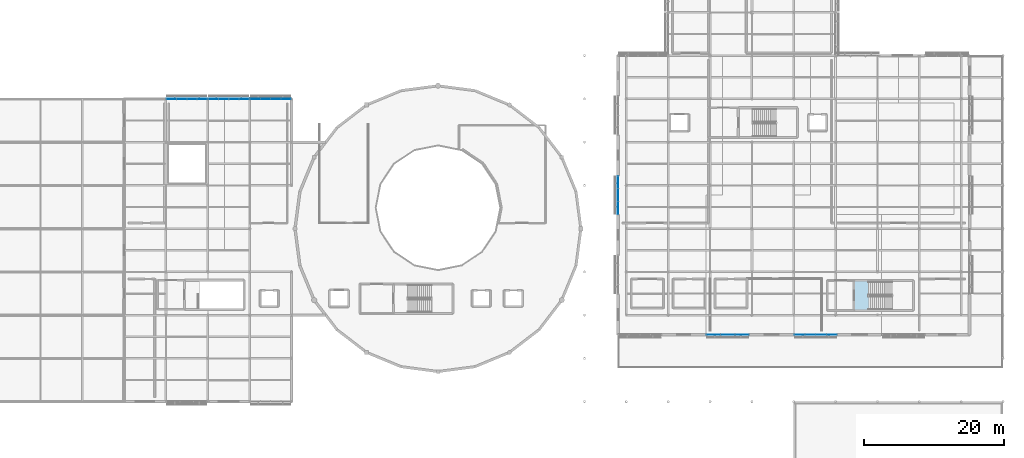
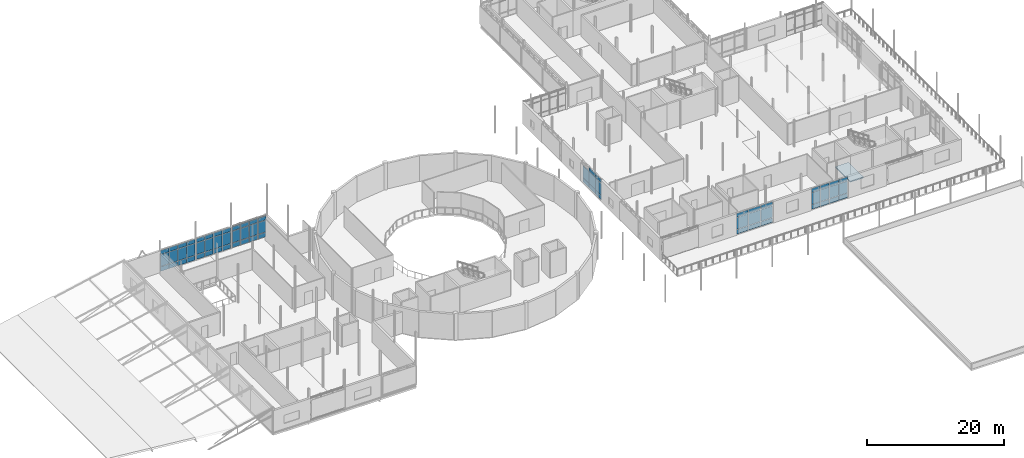
# One storey, part 39 of 66: 65 plates, 1 slab, 6 elements without a shape of their own.
"""IFC4 building model written with IfcOpenShell, lengths in metres."""

from ifc_helpers import new_model, si_unit, direction, frame, origin, origin_2d, place, context, subcontext, project, spatial, polyline, rectangle, outline, extrude, material, layer, layer_set, type_object, element, aggregate, save


model = new_model("IFC4")

# Units and contexts
model_context = context("Model", 3, precision=1e-05, world=origin(), true_north=direction((0.0, 1.0)))
body_context = subcontext(model_context, "Body", "Model", "MODEL_VIEW")
ifc_project = project(units=[si_unit("LENGTHUNIT", "METRE"), si_unit("AREAUNIT", "SQUARE_METRE"), si_unit("VOLUMEUNIT", "CUBIC_METRE"), si_unit("PLANEANGLEUNIT", "RADIAN"), si_unit("MASSUNIT", "GRAM", prefix="KILO")], contexts=[model_context])

# Site, building, storey
site_placement = place(None, origin())
site = spatial("IfcSite", under=ifc_project, at=site_placement, CompositionType="ELEMENT")
building_placement = place(site_placement, origin())
building = spatial("IfcBuilding", under=site, at=building_placement, Name="Mirzam Square Science Centre", CompositionType="ELEMENT")
storey_placement = place(building_placement, frame((0.0, 0.0, 15.60009765625)))
storey = spatial("IfcBuildingStorey", under=building, at=storey_placement, Name="L03", CompositionType="ELEMENT", Elevation=15.60009765625)

# Curtain wall, plates
ifc_material_1 = material(Name="Anodised Aluminium and Low-E Solar Glass", Category="aluminium")
ifc_layer_1 = layer(ifc_material_1, 0.159912109375)
ifc_layer_set_1 = layer_set([ifc_layer_1], Name="CW-COURT-A")
curtain_wall_type_1 = type_object("IfcCurtainWallType", Name="CW-COURT-A", PredefinedType="USERDEFINED", material=ifc_layer_set_1)
curtain_wall_1_placement = place(storey_placement, origin())
curtain_wall_1 = element("IfcCurtainWall", 1, at=curtain_wall_1_placement, inside=storey, type_object=curtain_wall_type_1, Name="L03 unitised curtain wall 31", ObjectType="UNITISED CURTAIN WALL", PredefinedType="USERDEFINED")
ifc_material_2 = material(Name="Double-Silver Low-E Insulated Solar Glass", Category="glass")
ifc_layer_2 = layer(ifc_material_2, 0.028076171875)
ifc_layer_set_2 = layer_set([ifc_layer_2], Name="CWP-GLZ-28")
plate_type_1 = type_object("IfcPlateType", Name="CWP-GLZ-28", PredefinedType="CURTAIN_PANEL", material=ifc_layer_set_2)
plate_1_placement = place(storey_placement, frame((47.1923828125, 80.60009765625, 0.06494140625), z_axis=(0.0, 0.0, 1.0), x_axis=(-1.0, 0.0, 0.0)))
plate_1 = element("IfcPlate", 2, at=plate_1_placement, type_object=plate_type_1, Name="CW-03 panel 1.1", PredefinedType="CURTAIN_PANEL", context=body_context, shape_type="SweptSolid", body=[
    extrude(rectangle(XDim=1.375, YDim=0.028076171875, at=origin_2d()), origin(), (0.0, 0.0, 1.0), 0.802490234375),
])
plate_2_placement = place(storey_placement, frame((47.1923828125, 80.60009765625, 0.9326171875), z_axis=(0.0, 0.0, 1.0), x_axis=(-1.0, 0.0, 0.0)))
plate_2 = element("IfcPlate", 3, at=plate_2_placement, type_object=plate_type_1, Name="CW-03 panel 1.2", PredefinedType="CURTAIN_PANEL", context=body_context, shape_type="SweptSolid", body=[
    extrude(rectangle(XDim=1.375, YDim=0.028076171875, at=origin_2d()), origin(), (0.0, 0.0, 1.0), 2.074951171875),
])
plate_3_placement = place(storey_placement, frame((47.1923828125, 80.60009765625, 3.072265625), z_axis=(0.0, 0.0, 1.0), x_axis=(-1.0, 0.0, 0.0)))
plate_3 = element("IfcPlate", 4, at=plate_3_placement, type_object=plate_type_1, Name="CW-03 panel 1.3", PredefinedType="CURTAIN_PANEL", context=body_context, shape_type="SweptSolid", body=[
    extrude(rectangle(XDim=1.375, YDim=0.028076171875, at=origin_2d()), origin(), (0.0, 0.0, 1.0), 0.702392578125),
])
plate_4_placement = place(storey_placement, frame((45.736328125, 80.60009765625, 0.06494140625), z_axis=(0.0, 0.0, 1.0), x_axis=(-1.0, 0.0, 0.0)))
plate_4 = element("IfcPlate", 5, at=plate_4_placement, type_object=plate_type_1, Name="CW-03 panel 2.1", PredefinedType="CURTAIN_PANEL", context=body_context, shape_type="SweptSolid", body=[
    extrude(rectangle(XDim=1.407470703125, YDim=0.028076171875, at=origin_2d()), origin(), (0.0, 0.0, 1.0), 0.802490234375),
])
plate_5_placement = place(storey_placement, frame((45.736328125, 80.60009765625, 0.9326171875), z_axis=(0.0, 0.0, 1.0), x_axis=(-1.0, 0.0, 0.0)))
plate_5 = element("IfcPlate", 6, at=plate_5_placement, type_object=plate_type_1, Name="CW-03 panel 2.2", PredefinedType="CURTAIN_PANEL", context=body_context, shape_type="SweptSolid", body=[
    extrude(rectangle(XDim=1.407470703125, YDim=0.028076171875, at=origin_2d()), origin(), (0.0, 0.0, 1.0), 2.074951171875),
])
plate_6_placement = place(storey_placement, frame((45.736328125, 80.60009765625, 3.072265625), z_axis=(0.0, 0.0, 1.0), x_axis=(-1.0, 0.0, 0.0)))
plate_6 = element("IfcPlate", 7, at=plate_6_placement, type_object=plate_type_1, Name="CW-03 panel 2.3", PredefinedType="CURTAIN_PANEL", context=body_context, shape_type="SweptSolid", body=[
    extrude(rectangle(XDim=1.407470703125, YDim=0.028076171875, at=origin_2d()), origin(), (0.0, 0.0, 1.0), 0.702392578125),
])
plate_7_placement = place(storey_placement, frame((44.263671875, 80.60009765625, 0.06494140625), z_axis=(0.0, 0.0, 1.0), x_axis=(-1.0, 0.0, 0.0)))
plate_7 = element("IfcPlate", 8, at=plate_7_placement, type_object=plate_type_1, Name="CW-03 panel 3.1", PredefinedType="CURTAIN_PANEL", context=body_context, shape_type="SweptSolid", body=[
    extrude(rectangle(XDim=1.407470703125, YDim=0.028076171875, at=origin_2d()), origin(), (0.0, 0.0, 1.0), 0.802490234375),
])
plate_8_placement = place(storey_placement, frame((44.263671875, 80.60009765625, 0.9326171875), z_axis=(0.0, 0.0, 1.0), x_axis=(-1.0, 0.0, 0.0)))
plate_8 = element("IfcPlate", 9, at=plate_8_placement, type_object=plate_type_1, Name="CW-03 panel 3.2", PredefinedType="CURTAIN_PANEL", context=body_context, shape_type="SweptSolid", body=[
    extrude(rectangle(XDim=1.407470703125, YDim=0.028076171875, at=origin_2d()), origin(), (0.0, 0.0, 1.0), 2.074951171875),
])
plate_9_placement = place(storey_placement, frame((44.263671875, 80.60009765625, 3.072265625), z_axis=(0.0, 0.0, 1.0), x_axis=(-1.0, 0.0, 0.0)))
plate_9 = element("IfcPlate", 10, at=plate_9_placement, type_object=plate_type_1, Name="CW-03 panel 3.3", PredefinedType="CURTAIN_PANEL", context=body_context, shape_type="SweptSolid", body=[
    extrude(rectangle(XDim=1.407470703125, YDim=0.028076171875, at=origin_2d()), origin(), (0.0, 0.0, 1.0), 0.702392578125),
])
plate_10_placement = place(storey_placement, frame((42.8076171875, 80.60009765625, 0.06494140625), z_axis=(0.0, 0.0, 1.0), x_axis=(-1.0, 0.0, 0.0)))
plate_10 = element("IfcPlate", 11, at=plate_10_placement, type_object=plate_type_1, Name="CW-03 panel 4.1", PredefinedType="CURTAIN_PANEL", context=body_context, shape_type="SweptSolid", body=[
    extrude(rectangle(XDim=1.375, YDim=0.028076171875, at=origin_2d()), origin(), (0.0, 0.0, 1.0), 0.802490234375),
])
plate_11_placement = place(storey_placement, frame((42.8076171875, 80.60009765625, 0.9326171875), z_axis=(0.0, 0.0, 1.0), x_axis=(-1.0, 0.0, 0.0)))
plate_11 = element("IfcPlate", 12, at=plate_11_placement, type_object=plate_type_1, Name="CW-03 panel 4.2", PredefinedType="CURTAIN_PANEL", context=body_context, shape_type="SweptSolid", body=[
    extrude(rectangle(XDim=1.375, YDim=0.028076171875, at=origin_2d()), origin(), (0.0, 0.0, 1.0), 2.074951171875),
])
plate_12_placement = place(storey_placement, frame((42.8076171875, 80.60009765625, 3.072265625), z_axis=(0.0, 0.0, 1.0), x_axis=(-1.0, 0.0, 0.0)))
plate_12 = element("IfcPlate", 13, at=plate_12_placement, type_object=plate_type_1, Name="CW-03 panel 4.3", PredefinedType="CURTAIN_PANEL", context=body_context, shape_type="SweptSolid", body=[
    extrude(rectangle(XDim=1.375, YDim=0.028076171875, at=origin_2d()), origin(), (0.0, 0.0, 1.0), 0.702392578125),
])
aggregate(curtain_wall_1, [plate_1, plate_2, plate_3, plate_4, plate_5, plate_6, plate_7, plate_8, plate_9, plate_10, plate_11, plate_12])

ifc_layer_3 = layer(ifc_material_1, 0.239990234375)
ifc_layer_set_3 = layer_set([ifc_layer_3], Name="CW-EAST-B")
curtain_wall_type_2 = type_object("IfcCurtainWallType", Name="CW-EAST-B", PredefinedType="USERDEFINED", material=ifc_layer_set_3)
curtain_wall_2_placement = place(storey_placement, origin())
curtain_wall_2 = element("IfcCurtainWall", 14, at=curtain_wall_2_placement, inside=storey, type_object=curtain_wall_type_2, Name="L03 unitised curtain wall 124", ObjectType="UNITISED CURTAIN WALL", PredefinedType="USERDEFINED")
plate_13_placement = place(storey_placement, frame((120.50537109375, 46.800048828125, 0.074951171875), z_axis=(0.0, 0.0, 1.0), x_axis=(1.0, 0.0, 0.0)))
plate_13 = element("IfcPlate", 15, at=plate_13_placement, type_object=plate_type_1, Name="CW-06 panel 1.1", PredefinedType="CURTAIN_PANEL", context=body_context, shape_type="SweptSolid", body=[
    extrude(rectangle(XDim=1.950927734375, YDim=0.028076171875, at=origin_2d()), origin(), (0.0, 0.0, 1.0), 0.78759765625),
])
plate_14_placement = place(storey_placement, frame((120.50537109375, 46.800048828125, 0.9375), z_axis=(0.0, 0.0, 1.0), x_axis=(1.0, 0.0, 0.0)))
plate_14 = element("IfcPlate", 16, at=plate_14_placement, type_object=plate_type_1, Name="CW-06 panel 1.2", PredefinedType="CURTAIN_PANEL", context=body_context, shape_type="SweptSolid", body=[
    extrude(rectangle(XDim=1.950927734375, YDim=0.028076171875, at=origin_2d()), origin(), (0.0, 0.0, 1.0), 2.06494140625),
])
plate_15_placement = place(storey_placement, frame((120.50537109375, 46.800048828125, 3.077392578125), z_axis=(0.0, 0.0, 1.0), x_axis=(1.0, 0.0, 0.0)))
plate_15 = element("IfcPlate", 17, at=plate_15_placement, type_object=plate_type_1, Name="CW-06 panel 1.3", PredefinedType="CURTAIN_PANEL", context=body_context, shape_type="SweptSolid", body=[
    extrude(rectangle(XDim=1.950927734375, YDim=0.028076171875, at=origin_2d()), origin(), (0.0, 0.0, 1.0), 0.6875),
])
plate_16_placement = place(storey_placement, frame((122.550048828125, 46.800048828125, 0.074951171875), z_axis=(0.0, 0.0, 1.0), x_axis=(1.0, 0.0, 0.0)))
plate_16 = element("IfcPlate", 18, at=plate_16_placement, type_object=plate_type_1, Name="CW-06 panel 2.1", PredefinedType="CURTAIN_PANEL", context=body_context, shape_type="SweptSolid", body=[
    extrude(rectangle(XDim=1.98828125, YDim=0.028076171875, at=origin_2d()), origin(), (0.0, 0.0, 1.0), 0.78759765625),
])
plate_17_placement = place(storey_placement, frame((122.550048828125, 46.800048828125, 0.9375), z_axis=(0.0, 0.0, 1.0), x_axis=(1.0, 0.0, 0.0)))
plate_17 = element("IfcPlate", 19, at=plate_17_placement, type_object=plate_type_1, Name="CW-06 panel 2.2", PredefinedType="CURTAIN_PANEL", context=body_context, shape_type="SweptSolid", body=[
    extrude(rectangle(XDim=1.98828125, YDim=0.028076171875, at=origin_2d()), origin(), (0.0, 0.0, 1.0), 2.06494140625),
])
plate_18_placement = place(storey_placement, frame((122.550048828125, 46.800048828125, 3.077392578125), z_axis=(0.0, 0.0, 1.0), x_axis=(1.0, 0.0, 0.0)))
plate_18 = element("IfcPlate", 20, at=plate_18_placement, type_object=plate_type_1, Name="CW-06 panel 2.3", PredefinedType="CURTAIN_PANEL", context=body_context, shape_type="SweptSolid", body=[
    extrude(rectangle(XDim=1.98828125, YDim=0.028076171875, at=origin_2d()), origin(), (0.0, 0.0, 1.0), 0.6875),
])
plate_19_placement = place(storey_placement, frame((124.594482421875, 46.800048828125, 0.074951171875), z_axis=(0.0, 0.0, 1.0), x_axis=(1.0, 0.0, 0.0)))
plate_19 = element("IfcPlate", 21, at=plate_19_placement, type_object=plate_type_1, Name="CW-06 panel 3.1", PredefinedType="CURTAIN_PANEL", context=body_context, shape_type="SweptSolid", body=[
    extrude(rectangle(XDim=1.950927734375, YDim=0.028076171875, at=origin_2d()), origin(), (0.0, 0.0, 1.0), 0.78759765625),
])
plate_20_placement = place(storey_placement, frame((124.594482421875, 46.800048828125, 0.9375), z_axis=(0.0, 0.0, 1.0), x_axis=(1.0, 0.0, 0.0)))
plate_20 = element("IfcPlate", 22, at=plate_20_placement, type_object=plate_type_1, Name="CW-06 panel 3.2", PredefinedType="CURTAIN_PANEL", context=body_context, shape_type="SweptSolid", body=[
    extrude(rectangle(XDim=1.950927734375, YDim=0.028076171875, at=origin_2d()), origin(), (0.0, 0.0, 1.0), 2.06494140625),
])
plate_21_placement = place(storey_placement, frame((124.594482421875, 46.800048828125, 3.077392578125), z_axis=(0.0, 0.0, 1.0), x_axis=(1.0, 0.0, 0.0)))
plate_21 = element("IfcPlate", 23, at=plate_21_placement, type_object=plate_type_1, Name="CW-06 panel 3.3", PredefinedType="CURTAIN_PANEL", context=body_context, shape_type="SweptSolid", body=[
    extrude(rectangle(XDim=1.950927734375, YDim=0.028076171875, at=origin_2d()), origin(), (0.0, 0.0, 1.0), 0.6875),
])
aggregate(curtain_wall_2, [plate_13, plate_14, plate_15, plate_16, plate_17, plate_18, plate_19, plate_20, plate_21])

curtain_wall_3_placement = place(storey_placement, origin())
curtain_wall_3 = element("IfcCurtainWall", 24, at=curtain_wall_3_placement, inside=storey, type_object=curtain_wall_type_2, Name="L03 unitised curtain wall 134", ObjectType="UNITISED CURTAIN WALL", PredefinedType="USERDEFINED")
plate_22_placement = place(storey_placement, frame((106.800048828125, 68.6494140625, 0.074951171875), z_axis=(0.0, 0.0, 1.0), x_axis=(0.0, -1.0, 0.0)))
plate_22 = element("IfcPlate", 25, at=plate_22_placement, type_object=plate_type_1, Name="CW-06 panel 1.1", PredefinedType="CURTAIN_PANEL", context=body_context, shape_type="SweptSolid", body=[
    extrude(rectangle(XDim=1.755615234375, YDim=0.028076171875, at=origin_2d()), origin(), (0.0, 0.0, 1.0), 0.78759765625),
])
plate_23_placement = place(storey_placement, frame((106.800048828125, 68.6494140625, 0.9375), z_axis=(0.0, 0.0, 1.0), x_axis=(0.0, -1.0, 0.0)))
plate_23 = element("IfcPlate", 26, at=plate_23_placement, type_object=plate_type_1, Name="CW-06 panel 1.2", PredefinedType="CURTAIN_PANEL", context=body_context, shape_type="SweptSolid", body=[
    extrude(rectangle(XDim=1.755615234375, YDim=0.028076171875, at=origin_2d()), origin(), (0.0, 0.0, 1.0), 2.06494140625),
])
plate_24_placement = place(storey_placement, frame((106.800048828125, 66.800048828125, 0.074951171875), z_axis=(0.0, 0.0, 1.0), x_axis=(0.0, -1.0, 0.0)))
plate_24 = element("IfcPlate", 27, at=plate_24_placement, type_object=plate_type_1, Name="CW-06 panel 2.1", PredefinedType="CURTAIN_PANEL", context=body_context, shape_type="SweptSolid", body=[
    extrude(rectangle(XDim=1.79296875, YDim=0.028076171875, at=origin_2d()), origin(), (0.0, 0.0, 1.0), 0.78759765625),
])
plate_25_placement = place(storey_placement, frame((106.800048828125, 66.800048828125, 0.9375), z_axis=(0.0, 0.0, 1.0), x_axis=(0.0, -1.0, 0.0)))
plate_25 = element("IfcPlate", 28, at=plate_25_placement, type_object=plate_type_1, Name="CW-06 panel 2.2", PredefinedType="CURTAIN_PANEL", context=body_context, shape_type="SweptSolid", body=[
    extrude(rectangle(XDim=1.79296875, YDim=0.028076171875, at=origin_2d()), origin(), (0.0, 0.0, 1.0), 2.06494140625),
])
plate_26_placement = place(storey_placement, frame((106.800048828125, 66.800048828125, 3.077392578125), z_axis=(0.0, 0.0, 1.0), x_axis=(0.0, -1.0, 0.0)))
plate_26 = element("IfcPlate", 29, at=plate_26_placement, type_object=plate_type_1, Name="CW-06 panel 2.3", PredefinedType="CURTAIN_PANEL", context=body_context, shape_type="SweptSolid", body=[
    extrude(rectangle(XDim=1.79296875, YDim=0.028076171875, at=origin_2d()), origin(), (0.0, 0.0, 1.0), 0.6875),
])
plate_27_placement = place(storey_placement, frame((106.800048828125, 64.95068359375, 0.074951171875), z_axis=(0.0, 0.0, 1.0), x_axis=(0.0, -1.0, 0.0)))
plate_27 = element("IfcPlate", 30, at=plate_27_placement, type_object=plate_type_1, Name="CW-06 panel 3.1", PredefinedType="CURTAIN_PANEL", context=body_context, shape_type="SweptSolid", body=[
    extrude(rectangle(XDim=1.755615234375, YDim=0.028076171875, at=origin_2d()), origin(), (0.0, 0.0, 1.0), 0.78759765625),
])
plate_28_placement = place(storey_placement, frame((106.800048828125, 64.95068359375, 0.9375), z_axis=(0.0, 0.0, 1.0), x_axis=(0.0, -1.0, 0.0)))
plate_28 = element("IfcPlate", 31, at=plate_28_placement, type_object=plate_type_1, Name="CW-06 panel 3.2", PredefinedType="CURTAIN_PANEL", context=body_context, shape_type="SweptSolid", body=[
    extrude(rectangle(XDim=1.755615234375, YDim=0.028076171875, at=origin_2d()), origin(), (0.0, 0.0, 1.0), 2.06494140625),
])
plate_29_placement = place(storey_placement, frame((106.800048828125, 64.95068359375, 3.077392578125), z_axis=(0.0, 0.0, 1.0), x_axis=(0.0, -1.0, 0.0)))
plate_29 = element("IfcPlate", 32, at=plate_29_placement, type_object=plate_type_1, Name="CW-06 panel 3.3", PredefinedType="CURTAIN_PANEL", context=body_context, shape_type="SweptSolid", body=[
    extrude(rectangle(XDim=1.755615234375, YDim=0.028076171875, at=origin_2d()), origin(), (0.0, 0.0, 1.0), 0.6875),
])
aggregate(curtain_wall_3, [plate_22, plate_23, plate_24, plate_25, plate_26, plate_27, plate_28, plate_29])

ifc_layer_4 = layer(ifc_material_1, 0.159912109375)
ifc_layer_set_4 = layer_set([ifc_layer_4], Name="CW-COURT-B")
curtain_wall_type_3 = type_object("IfcCurtainWallType", Name="CW-COURT-B", PredefinedType="USERDEFINED", material=ifc_layer_set_4)
curtain_wall_4_placement = place(storey_placement, origin())
curtain_wall_4 = element("IfcCurtainWall", 33, at=curtain_wall_4_placement, inside=storey, type_object=curtain_wall_type_3, Name="L03 unitised curtain wall 32", ObjectType="UNITISED CURTAIN WALL", PredefinedType="USERDEFINED")
ifc_material_3 = material(Name="Triple-Glazed Acoustic Low-E Solar Glass", Category="glass")
ifc_layer_5 = layer(ifc_material_3, 0.031982421875)
ifc_layer_set_5 = layer_set([ifc_layer_5], Name="CWP-GLZ-32")
plate_type_2 = type_object("IfcPlateType", Name="CWP-GLZ-32", PredefinedType="CURTAIN_PANEL", material=ifc_layer_set_5)
plate_30_placement = place(storey_placement, frame((53.18994140625, 80.60009765625, 0.074951171875), z_axis=(0.0, 0.0, 1.0), x_axis=(-1.0, 0.0, 0.0)))
plate_30 = element("IfcPlate", 34, at=plate_30_placement, type_object=plate_type_2, Name="CW-04 panel 1.1", PredefinedType="CURTAIN_PANEL", context=body_context, shape_type="SweptSolid", body=[
    extrude(rectangle(XDim=1.360107421875, YDim=0.031982421875, at=origin_2d()), origin(), (0.0, 0.0, 1.0), 0.78759765625),
])
plate_31_placement = place(storey_placement, frame((53.18994140625, 80.60009765625, 0.9375), z_axis=(0.0, 0.0, 1.0), x_axis=(-1.0, 0.0, 0.0)))
plate_31 = element("IfcPlate", 35, at=plate_31_placement, type_object=plate_type_2, Name="CW-04 panel 1.2", PredefinedType="CURTAIN_PANEL", context=body_context, shape_type="SweptSolid", body=[
    extrude(rectangle(XDim=1.360107421875, YDim=0.031982421875, at=origin_2d()), origin(), (0.0, 0.0, 1.0), 2.06494140625),
])
plate_32_placement = place(storey_placement, frame((53.18994140625, 80.60009765625, 3.077392578125), z_axis=(0.0, 0.0, 1.0), x_axis=(-1.0, 0.0, 0.0)))
plate_32 = element("IfcPlate", 36, at=plate_32_placement, type_object=plate_type_2, Name="CW-04 panel 1.3", PredefinedType="CURTAIN_PANEL", context=body_context, shape_type="SweptSolid", body=[
    extrude(rectangle(XDim=1.360107421875, YDim=0.031982421875, at=origin_2d()), origin(), (0.0, 0.0, 1.0), 0.6875),
])
plate_33_placement = place(storey_placement, frame((51.736328125, 80.60009765625, 0.074951171875), z_axis=(0.0, 0.0, 1.0), x_axis=(-1.0, 0.0, 0.0)))
plate_33 = element("IfcPlate", 37, at=plate_33_placement, type_object=plate_type_2, Name="CW-04 panel 2.1", PredefinedType="CURTAIN_PANEL", context=body_context, shape_type="SweptSolid", body=[
    extrude(rectangle(XDim=1.3974609375, YDim=0.031982421875, at=origin_2d()), origin(), (0.0, 0.0, 1.0), 0.78759765625),
])
plate_34_placement = place(storey_placement, frame((51.736328125, 80.60009765625, 0.9375), z_axis=(0.0, 0.0, 1.0), x_axis=(-1.0, 0.0, 0.0)))
plate_34 = element("IfcPlate", 38, at=plate_34_placement, type_object=plate_type_2, Name="CW-04 panel 2.2", PredefinedType="CURTAIN_PANEL", context=body_context, shape_type="SweptSolid", body=[
    extrude(rectangle(XDim=1.3974609375, YDim=0.031982421875, at=origin_2d()), origin(), (0.0, 0.0, 1.0), 2.06494140625),
])
plate_35_placement = place(storey_placement, frame((51.736328125, 80.60009765625, 3.077392578125), z_axis=(0.0, 0.0, 1.0), x_axis=(-1.0, 0.0, 0.0)))
plate_35 = element("IfcPlate", 39, at=plate_35_placement, type_object=plate_type_2, Name="CW-04 panel 2.3", PredefinedType="CURTAIN_PANEL", context=body_context, shape_type="SweptSolid", body=[
    extrude(rectangle(XDim=1.3974609375, YDim=0.031982421875, at=origin_2d()), origin(), (0.0, 0.0, 1.0), 0.6875),
])
plate_36_placement = place(storey_placement, frame((50.263671875, 80.60009765625, 0.074951171875), z_axis=(0.0, 0.0, 1.0), x_axis=(-1.0, 0.0, 0.0)))
plate_36 = element("IfcPlate", 40, at=plate_36_placement, type_object=plate_type_2, Name="CW-04 panel 3.1", PredefinedType="CURTAIN_PANEL", context=body_context, shape_type="SweptSolid", body=[
    extrude(rectangle(XDim=1.3974609375, YDim=0.031982421875, at=origin_2d()), origin(), (0.0, 0.0, 1.0), 0.78759765625),
])
plate_37_placement = place(storey_placement, frame((50.263671875, 80.60009765625, 0.9375), z_axis=(0.0, 0.0, 1.0), x_axis=(-1.0, 0.0, 0.0)))
plate_37 = element("IfcPlate", 41, at=plate_37_placement, type_object=plate_type_2, Name="CW-04 panel 3.2", PredefinedType="CURTAIN_PANEL", context=body_context, shape_type="SweptSolid", body=[
    extrude(rectangle(XDim=1.3974609375, YDim=0.031982421875, at=origin_2d()), origin(), (0.0, 0.0, 1.0), 2.06494140625),
])
plate_38_placement = place(storey_placement, frame((50.263671875, 80.60009765625, 3.077392578125), z_axis=(0.0, 0.0, 1.0), x_axis=(-1.0, 0.0, 0.0)))
plate_38 = element("IfcPlate", 42, at=plate_38_placement, type_object=plate_type_2, Name="CW-04 panel 3.3", PredefinedType="CURTAIN_PANEL", context=body_context, shape_type="SweptSolid", body=[
    extrude(rectangle(XDim=1.3974609375, YDim=0.031982421875, at=origin_2d()), origin(), (0.0, 0.0, 1.0), 0.6875),
])
plate_39_placement = place(storey_placement, frame((48.81005859375, 80.60009765625, 0.074951171875), z_axis=(0.0, 0.0, 1.0), x_axis=(-1.0, 0.0, 0.0)))
plate_39 = element("IfcPlate", 43, at=plate_39_placement, type_object=plate_type_2, Name="CW-04 panel 4.1", PredefinedType="CURTAIN_PANEL", context=body_context, shape_type="SweptSolid", body=[
    extrude(rectangle(XDim=1.360107421875, YDim=0.031982421875, at=origin_2d()), origin(), (0.0, 0.0, 1.0), 0.78759765625),
])
plate_40_placement = place(storey_placement, frame((48.81005859375, 80.60009765625, 0.9375), z_axis=(0.0, 0.0, 1.0), x_axis=(-1.0, 0.0, 0.0)))
plate_40 = element("IfcPlate", 44, at=plate_40_placement, type_object=plate_type_2, Name="CW-04 panel 4.2", PredefinedType="CURTAIN_PANEL", context=body_context, shape_type="SweptSolid", body=[
    extrude(rectangle(XDim=1.360107421875, YDim=0.031982421875, at=origin_2d()), origin(), (0.0, 0.0, 1.0), 2.06494140625),
])
plate_41_placement = place(storey_placement, frame((48.81005859375, 80.60009765625, 3.077392578125), z_axis=(0.0, 0.0, 1.0), x_axis=(-1.0, 0.0, 0.0)))
plate_41 = element("IfcPlate", 45, at=plate_41_placement, type_object=plate_type_2, Name="CW-04 panel 4.3", PredefinedType="CURTAIN_PANEL", context=body_context, shape_type="SweptSolid", body=[
    extrude(rectangle(XDim=1.360107421875, YDim=0.031982421875, at=origin_2d()), origin(), (0.0, 0.0, 1.0), 0.6875),
])
aggregate(curtain_wall_4, [plate_30, plate_31, plate_32, plate_33, plate_34, plate_35, plate_36, plate_37, plate_38, plate_39, plate_40, plate_41])

ifc_layer_6 = layer(ifc_material_1, 0.199951171875)
ifc_layer_set_6 = layer_set([ifc_layer_6], Name="CW-EAST-A")
curtain_wall_type_4 = type_object("IfcCurtainWallType", Name="CW-EAST-A", PredefinedType="USERDEFINED", material=ifc_layer_set_6)
curtain_wall_5_placement = place(storey_placement, origin())
curtain_wall_5 = element("IfcCurtainWall", 46, at=curtain_wall_5_placement, inside=storey, type_object=curtain_wall_type_4, Name="L03 unitised curtain wall 33", ObjectType="UNITISED CURTAIN WALL", PredefinedType="USERDEFINED")
ifc_material_4 = material(Name="Laminated Low-Iron Observatory Solar Glass", Category="glass")
ifc_layer_7 = layer(ifc_material_4, 0.035888671875)
ifc_layer_set_7 = layer_set([ifc_layer_7], Name="CWP-GLZ-36")
plate_type_3 = type_object("IfcPlateType", Name="CWP-GLZ-36", PredefinedType="CURTAIN_PANEL", material=ifc_layer_set_7)
plate_42_placement = place(storey_placement, frame((59.19384765625, 80.60009765625, 0.059814453125), z_axis=(0.0, 0.0, 1.0), x_axis=(-1.0, 0.0, 0.0)))
plate_42 = element("IfcPlate", 47, at=plate_42_placement, type_object=plate_type_3, Name="CW-05 panel 1.1", PredefinedType="CURTAIN_PANEL", context=body_context, shape_type="SweptSolid", body=[
    extrude(rectangle(XDim=1.382568359375, YDim=0.035888671875, at=origin_2d()), origin(), (0.0, 0.0, 1.0), 0.81005859375),
])
plate_43_placement = place(storey_placement, frame((59.19384765625, 80.60009765625, 0.929931640625), z_axis=(0.0, 0.0, 1.0), x_axis=(-1.0, 0.0, 0.0)))
plate_43 = element("IfcPlate", 48, at=plate_43_placement, type_object=plate_type_3, Name="CW-05 panel 1.2", PredefinedType="CURTAIN_PANEL", context=body_context, shape_type="SweptSolid", body=[
    extrude(rectangle(XDim=1.382568359375, YDim=0.035888671875, at=origin_2d()), origin(), (0.0, 0.0, 1.0), 2.080078125),
])
plate_44_placement = place(storey_placement, frame((59.19384765625, 80.60009765625, 3.06982421875), z_axis=(0.0, 0.0, 1.0), x_axis=(-1.0, 0.0, 0.0)))
plate_44 = element("IfcPlate", 49, at=plate_44_placement, type_object=plate_type_3, Name="CW-05 panel 1.3", PredefinedType="CURTAIN_PANEL", context=body_context, shape_type="SweptSolid", body=[
    extrude(rectangle(XDim=1.382568359375, YDim=0.035888671875, at=origin_2d()), origin(), (0.0, 0.0, 1.0), 0.7099609375),
])
plate_45_placement = place(storey_placement, frame((57.736328125, 80.60009765625, 0.059814453125), z_axis=(0.0, 0.0, 1.0), x_axis=(-1.0, 0.0, 0.0)))
plate_45 = element("IfcPlate", 50, at=plate_45_placement, type_object=plate_type_3, Name="CW-05 panel 2.1", PredefinedType="CURTAIN_PANEL", context=body_context, shape_type="SweptSolid", body=[
    extrude(rectangle(XDim=1.41259765625, YDim=0.035888671875, at=origin_2d()), origin(), (0.0, 0.0, 1.0), 0.81005859375),
])
plate_46_placement = place(storey_placement, frame((57.736328125, 80.60009765625, 0.929931640625), z_axis=(0.0, 0.0, 1.0), x_axis=(-1.0, 0.0, 0.0)))
plate_46 = element("IfcPlate", 51, at=plate_46_placement, type_object=plate_type_3, Name="CW-05 panel 2.2", PredefinedType="CURTAIN_PANEL", context=body_context, shape_type="SweptSolid", body=[
    extrude(rectangle(XDim=1.41259765625, YDim=0.035888671875, at=origin_2d()), origin(), (0.0, 0.0, 1.0), 2.080078125),
])
plate_47_placement = place(storey_placement, frame((57.736328125, 80.60009765625, 3.06982421875), z_axis=(0.0, 0.0, 1.0), x_axis=(-1.0, 0.0, 0.0)))
plate_47 = element("IfcPlate", 52, at=plate_47_placement, type_object=plate_type_3, Name="CW-05 panel 2.3", PredefinedType="CURTAIN_PANEL", context=body_context, shape_type="SweptSolid", body=[
    extrude(rectangle(XDim=1.41259765625, YDim=0.035888671875, at=origin_2d()), origin(), (0.0, 0.0, 1.0), 0.7099609375),
])
plate_48_placement = place(storey_placement, frame((56.263671875, 80.60009765625, 0.059814453125), z_axis=(0.0, 0.0, 1.0), x_axis=(-1.0, 0.0, 0.0)))
plate_48 = element("IfcPlate", 53, at=plate_48_placement, type_object=plate_type_3, Name="CW-05 panel 3.1", PredefinedType="CURTAIN_PANEL", context=body_context, shape_type="SweptSolid", body=[
    extrude(rectangle(XDim=1.41259765625, YDim=0.035888671875, at=origin_2d()), origin(), (0.0, 0.0, 1.0), 0.81005859375),
])
plate_49_placement = place(storey_placement, frame((56.263671875, 80.60009765625, 0.929931640625), z_axis=(0.0, 0.0, 1.0), x_axis=(-1.0, 0.0, 0.0)))
plate_49 = element("IfcPlate", 54, at=plate_49_placement, type_object=plate_type_3, Name="CW-05 panel 3.2", PredefinedType="CURTAIN_PANEL", context=body_context, shape_type="SweptSolid", body=[
    extrude(rectangle(XDim=1.41259765625, YDim=0.035888671875, at=origin_2d()), origin(), (0.0, 0.0, 1.0), 2.080078125),
])
plate_50_placement = place(storey_placement, frame((56.263671875, 80.60009765625, 3.06982421875), z_axis=(0.0, 0.0, 1.0), x_axis=(-1.0, 0.0, 0.0)))
plate_50 = element("IfcPlate", 55, at=plate_50_placement, type_object=plate_type_3, Name="CW-05 panel 3.3", PredefinedType="CURTAIN_PANEL", context=body_context, shape_type="SweptSolid", body=[
    extrude(rectangle(XDim=1.41259765625, YDim=0.035888671875, at=origin_2d()), origin(), (0.0, 0.0, 1.0), 0.7099609375),
])
plate_51_placement = place(storey_placement, frame((54.80615234375, 80.60009765625, 0.059814453125), z_axis=(0.0, 0.0, 1.0), x_axis=(-1.0, 0.0, 0.0)))
plate_51 = element("IfcPlate", 56, at=plate_51_placement, type_object=plate_type_3, Name="CW-05 panel 4.1", PredefinedType="CURTAIN_PANEL", context=body_context, shape_type="SweptSolid", body=[
    extrude(rectangle(XDim=1.382568359375, YDim=0.035888671875, at=origin_2d()), origin(), (0.0, 0.0, 1.0), 0.81005859375),
])
plate_52_placement = place(storey_placement, frame((54.80615234375, 80.60009765625, 0.929931640625), z_axis=(0.0, 0.0, 1.0), x_axis=(-1.0, 0.0, 0.0)))
plate_52 = element("IfcPlate", 57, at=plate_52_placement, type_object=plate_type_3, Name="CW-05 panel 4.2", PredefinedType="CURTAIN_PANEL", context=body_context, shape_type="SweptSolid", body=[
    extrude(rectangle(XDim=1.382568359375, YDim=0.035888671875, at=origin_2d()), origin(), (0.0, 0.0, 1.0), 2.080078125),
])
plate_53_placement = place(storey_placement, frame((54.80615234375, 80.60009765625, 3.06982421875), z_axis=(0.0, 0.0, 1.0), x_axis=(-1.0, 0.0, 0.0)))
plate_53 = element("IfcPlate", 58, at=plate_53_placement, type_object=plate_type_3, Name="CW-05 panel 4.3", PredefinedType="CURTAIN_PANEL", context=body_context, shape_type="SweptSolid", body=[
    extrude(rectangle(XDim=1.382568359375, YDim=0.035888671875, at=origin_2d()), origin(), (0.0, 0.0, 1.0), 0.7099609375),
])
aggregate(curtain_wall_5, [plate_42, plate_43, plate_44, plate_45, plate_46, plate_47, plate_48, plate_49, plate_50, plate_51, plate_52, plate_53])

ifc_layer_8 = layer(ifc_material_1, 0.179931640625)
ifc_layer_set_8 = layer_set([ifc_layer_8], Name="CW-LINK-A")
curtain_wall_type_5 = type_object("IfcCurtainWallType", Name="CW-LINK-A", PredefinedType="USERDEFINED", material=ifc_layer_set_8)
curtain_wall_6_placement = place(storey_placement, origin())
curtain_wall_6 = element("IfcCurtainWall", 59, at=curtain_wall_6_placement, inside=storey, type_object=curtain_wall_type_5, Name="L03 unitised curtain wall 125", ObjectType="UNITISED CURTAIN WALL", PredefinedType="USERDEFINED")
plate_54_placement = place(storey_placement, frame((132.844970703125, 46.800048828125, 0.06494140625), z_axis=(0.0, 0.0, 1.0), x_axis=(1.0, 0.0, 0.0)))
plate_54 = element("IfcPlate", 60, at=plate_54_placement, type_object=plate_type_3, Name="CW-08 panel 1.1", PredefinedType="CURTAIN_PANEL", context=body_context, shape_type="SweptSolid", body=[
    extrude(rectangle(XDim=1.449951171875, YDim=0.035888671875, at=origin_2d()), origin(), (0.0, 0.0, 1.0), 0.802490234375),
])
plate_55_placement = place(storey_placement, frame((132.844970703125, 46.800048828125, 0.9326171875), z_axis=(0.0, 0.0, 1.0), x_axis=(1.0, 0.0, 0.0)))
plate_55 = element("IfcPlate", 61, at=plate_55_placement, type_object=plate_type_3, Name="CW-08 panel 1.2", PredefinedType="CURTAIN_PANEL", context=body_context, shape_type="SweptSolid", body=[
    extrude(rectangle(XDim=1.449951171875, YDim=0.035888671875, at=origin_2d()), origin(), (0.0, 0.0, 1.0), 2.074951171875),
])
plate_56_placement = place(storey_placement, frame((132.844970703125, 46.800048828125, 3.072265625), z_axis=(0.0, 0.0, 1.0), x_axis=(1.0, 0.0, 0.0)))
plate_56 = element("IfcPlate", 62, at=plate_56_placement, type_object=plate_type_3, Name="CW-08 panel 1.3", PredefinedType="CURTAIN_PANEL", context=body_context, shape_type="SweptSolid", body=[
    extrude(rectangle(XDim=1.449951171875, YDim=0.035888671875, at=origin_2d()), origin(), (0.0, 0.0, 1.0), 0.702392578125),
])
plate_57_placement = place(storey_placement, frame((134.376220703125, 46.800048828125, 0.06494140625), z_axis=(0.0, 0.0, 1.0), x_axis=(1.0, 0.0, 0.0)))
plate_57 = element("IfcPlate", 63, at=plate_57_placement, type_object=plate_type_3, Name="CW-08 panel 2.1", PredefinedType="CURTAIN_PANEL", context=body_context, shape_type="SweptSolid", body=[
    extrude(rectangle(XDim=1.482421875, YDim=0.035888671875, at=origin_2d()), origin(), (0.0, 0.0, 1.0), 0.802490234375),
])
plate_58_placement = place(storey_placement, frame((134.376220703125, 46.800048828125, 0.9326171875), z_axis=(0.0, 0.0, 1.0), x_axis=(1.0, 0.0, 0.0)))
plate_58 = element("IfcPlate", 64, at=plate_58_placement, type_object=plate_type_3, Name="CW-08 panel 2.2", PredefinedType="CURTAIN_PANEL", context=body_context, shape_type="SweptSolid", body=[
    extrude(rectangle(XDim=1.482421875, YDim=0.035888671875, at=origin_2d()), origin(), (0.0, 0.0, 1.0), 2.074951171875),
])
plate_59_placement = place(storey_placement, frame((134.376220703125, 46.800048828125, 3.072265625), z_axis=(0.0, 0.0, 1.0), x_axis=(1.0, 0.0, 0.0)))
plate_59 = element("IfcPlate", 65, at=plate_59_placement, type_object=plate_type_3, Name="CW-08 panel 2.3", PredefinedType="CURTAIN_PANEL", context=body_context, shape_type="SweptSolid", body=[
    extrude(rectangle(XDim=1.482421875, YDim=0.035888671875, at=origin_2d()), origin(), (0.0, 0.0, 1.0), 0.702392578125),
])
plate_60_placement = place(storey_placement, frame((135.923828125, 46.800048828125, 0.06494140625), z_axis=(0.0, 0.0, 1.0), x_axis=(1.0, 0.0, 0.0)))
plate_60 = element("IfcPlate", 66, at=plate_60_placement, type_object=plate_type_3, Name="CW-08 panel 3.1", PredefinedType="CURTAIN_PANEL", context=body_context, shape_type="SweptSolid", body=[
    extrude(rectangle(XDim=1.482421875, YDim=0.035888671875, at=origin_2d()), origin(), (0.0, 0.0, 1.0), 0.802490234375),
])
plate_61_placement = place(storey_placement, frame((135.923828125, 46.800048828125, 0.9326171875), z_axis=(0.0, 0.0, 1.0), x_axis=(1.0, 0.0, 0.0)))
plate_61 = element("IfcPlate", 67, at=plate_61_placement, type_object=plate_type_3, Name="CW-08 panel 3.2", PredefinedType="CURTAIN_PANEL", context=body_context, shape_type="SweptSolid", body=[
    extrude(rectangle(XDim=1.482421875, YDim=0.035888671875, at=origin_2d()), origin(), (0.0, 0.0, 1.0), 2.074951171875),
])
plate_62_placement = place(storey_placement, frame((135.923828125, 46.800048828125, 3.072265625), z_axis=(0.0, 0.0, 1.0), x_axis=(1.0, 0.0, 0.0)))
plate_62 = element("IfcPlate", 68, at=plate_62_placement, type_object=plate_type_3, Name="CW-08 panel 3.3", PredefinedType="CURTAIN_PANEL", context=body_context, shape_type="SweptSolid", body=[
    extrude(rectangle(XDim=1.482421875, YDim=0.035888671875, at=origin_2d()), origin(), (0.0, 0.0, 1.0), 0.702392578125),
])
plate_63_placement = place(storey_placement, frame((137.455078125, 46.800048828125, 0.06494140625), z_axis=(0.0, 0.0, 1.0), x_axis=(1.0, 0.0, 0.0)))
plate_63 = element("IfcPlate", 69, at=plate_63_placement, type_object=plate_type_3, Name="CW-08 panel 4.1", PredefinedType="CURTAIN_PANEL", context=body_context, shape_type="SweptSolid", body=[
    extrude(rectangle(XDim=1.449951171875, YDim=0.035888671875, at=origin_2d()), origin(), (0.0, 0.0, 1.0), 0.802490234375),
])
plate_64_placement = place(storey_placement, frame((137.455078125, 46.800048828125, 0.9326171875), z_axis=(0.0, 0.0, 1.0), x_axis=(1.0, 0.0, 0.0)))
plate_64 = element("IfcPlate", 70, at=plate_64_placement, type_object=plate_type_3, Name="CW-08 panel 4.2", PredefinedType="CURTAIN_PANEL", context=body_context, shape_type="SweptSolid", body=[
    extrude(rectangle(XDim=1.449951171875, YDim=0.035888671875, at=origin_2d()), origin(), (0.0, 0.0, 1.0), 2.074951171875),
])
plate_65_placement = place(storey_placement, frame((137.455078125, 46.800048828125, 3.072265625), z_axis=(0.0, 0.0, 1.0), x_axis=(1.0, 0.0, 0.0)))
plate_65 = element("IfcPlate", 71, at=plate_65_placement, type_object=plate_type_3, Name="CW-08 panel 4.3", PredefinedType="CURTAIN_PANEL", context=body_context, shape_type="SweptSolid", body=[
    extrude(rectangle(XDim=1.449951171875, YDim=0.035888671875, at=origin_2d()), origin(), (0.0, 0.0, 1.0), 0.702392578125),
])
aggregate(curtain_wall_6, [plate_54, plate_55, plate_56, plate_57, plate_58, plate_59, plate_60, plate_61, plate_62, plate_63, plate_64, plate_65])

# Slab
ifc_material_5 = material(Name="Concrete C40/50", Category="concrete")
ifc_layer_9 = layer(ifc_material_5, 0.199951171875)
ifc_layer_set_9 = layer_set([ifc_layer_9], Name="SL-LANDING-200")
slab_type = type_object("IfcSlabType", Name="SL-LANDING-200", PredefinedType="LANDING", material=ifc_layer_set_9)
slab_placement = place(storey_placement, frame((0.0, 0.0, -0.2001953125)))
element("IfcSlab", 72, at=slab_placement, inside=storey, type_object=slab_type, Name="L03 CORE-5 floor landing", PredefinedType="LANDING", context=body_context, shape_type="SweptSolid", body=[
    extrude(outline(polyline([(142.8798828125, 50.2451171875), (140.64501953125, 50.2451171875), (140.64501953125, 54.56494140625), (142.8798828125, 54.56494140625), (142.8798828125, 50.2451171875)])), origin(), (0.0, 0.0, 1.0), 0.2001953125),
])

save(model, "model.ifc")
